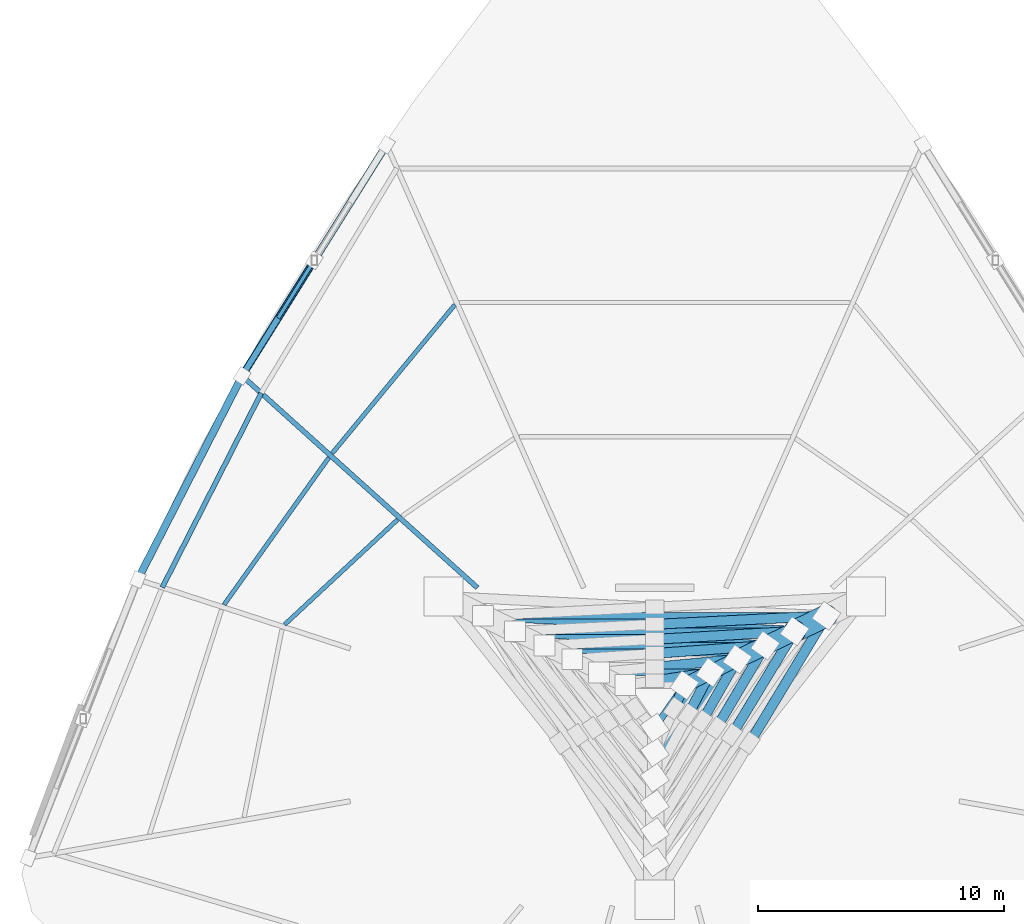
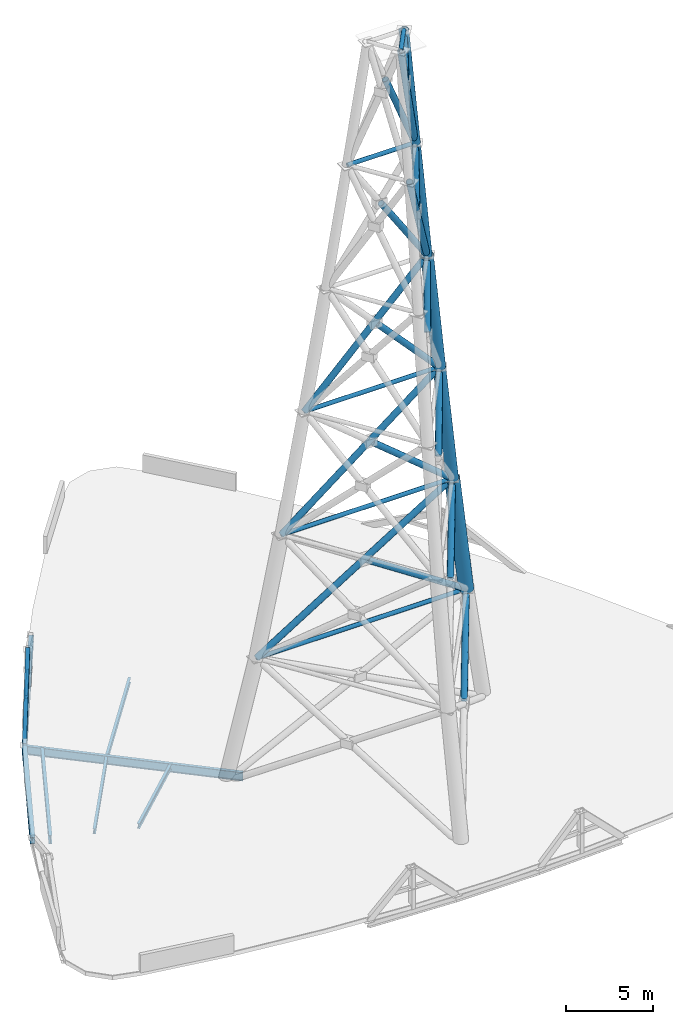
# One storey, part 3 of 7: 28 members, 7 beams.
"""IFC4 building model written with IfcOpenShell, lengths in metres."""

from ifc_helpers import new_model, si_unit, direction, frame, origin, origin_2d, place, context, subcontext, project, spatial, hollow_rectangle, hollow_circle, i_section, extrude, source, transform, mapped, material, material_profile, profile_set, type_object, element, save


model = new_model("IFC4")

# Units and contexts
model_context = context("Model", 3, precision=1e-05, world=origin(), true_north=direction((0.0, 1.0)))
body_context = subcontext(model_context, "Body", "Model", "MODEL_VIEW")
ifc_project = project(units=[si_unit("LENGTHUNIT", "METRE"), si_unit("AREAUNIT", "SQUARE_METRE"), si_unit("VOLUMEUNIT", "CUBIC_METRE"), si_unit("PLANEANGLEUNIT", "RADIAN"), si_unit("MASSUNIT", "GRAM", prefix="KILO"), si_unit("THERMODYNAMICTEMPERATUREUNIT", "KELVIN"), si_unit("POWERUNIT", "WATT")], contexts=[model_context])

# Site, building, storey
site_placement = place(None, origin())
site = spatial("IfcSite", under=ifc_project, at=site_placement, CompositionType="ELEMENT")
building_placement = place(site_placement, origin())
building = spatial("IfcBuilding", under=site, at=building_placement, Name="Yunzhuo Pagoda Commons", CompositionType="ELEMENT")
storey_placement = place(building_placement, frame((0.0, 0.0, 401.760009765625)))
storey = spatial("IfcBuildingStorey", under=building, at=storey_placement, Name="Roof", CompositionType="ELEMENT", Elevation=401.760009765625)

# Beams
ifc_material_1 = material(Name="Structural steel Q355B", Category="steel")
ifc_material_profile_1 = material_profile(ifc_material_1, i_section(OverallWidth=0.199951171875, OverallDepth=0.60009765625, WebThickness=0.010986328125, FlangeThickness=0.01708984375, at=origin_2d()), Name="Structural steel Q355B")
ifc_profile_set_1 = profile_set([ifc_material_profile_1], Name="Structural steel Q355B")
beam_type_1 = type_object("IfcBeamType", Name="B-RG3 Beam HN 600x200x11x17", PredefinedType="BEAM", material=ifc_profile_set_1)
shared_shape_1 = source(origin(), body_context, "Body", "SweptSolid", [
    extrude(i_section(OverallWidth=0.199951171875, OverallDepth=0.60009765625, WebThickness=0.010986328125, FlangeThickness=0.01708984375, at=origin_2d()), origin(), (0.0, 0.0, 1.0), 8.87939453125),
])
beam_1_placement = place(storey_placement, frame((31.975341796875, 48.128662109375, -0.580078125), z_axis=(-0.453723535687, -0.891142498798, 0.0), x_axis=(0.891142498798, -0.453723535687, 0.0)))
element("IfcBeam", 1, at=beam_1_placement, inside=storey, type_object=beam_type_1, Name="Roof column-ring beam 10", PredefinedType="BEAM", context=body_context, shape_type="MappedRepresentation", body=[
    mapped(shared_shape_1, transform((0.0, 0.0, 0.0), scale=1.0)),
])
ifc_material_profile_2 = material_profile(ifc_material_1, i_section(OverallWidth=0.175048828125, OverallDepth=0.35009765625, WebThickness=0.007080078125, FlangeThickness=0.010986328125, at=origin_2d()), Name="Structural steel Q355B")
ifc_profile_set_2 = profile_set([ifc_material_profile_2], Name="Structural steel Q355B")
beam_type_2 = type_object("IfcBeamType", Name="B-JS2 Joist HN 350x175x7x11", PredefinedType="JOIST", material=ifc_profile_set_2)
shared_shape_2 = source(origin(), body_context, "Body", "SweptSolid", [
    extrude(i_section(OverallWidth=0.175048828125, OverallDepth=0.35009765625, WebThickness=0.007080078125, FlangeThickness=0.010986328125, at=origin_2d()), origin(), (0.0, 0.0, 1.0), 6.277099609375),
])
beam_2_placement = place(storey_placement, frame((37.526611328125, 42.97607421875, -0.455078125), z_axis=(-0.73244154109, -0.68082992655, 0.0), x_axis=(0.68082992655, -0.73244154109, 0.0)))
element("IfcBeam", 2, at=beam_2_placement, inside=storey, type_object=beam_type_2, Name="Roof composite ring joist 1.10", PredefinedType="JOIST", context=body_context, shape_type="MappedRepresentation", body=[
    mapped(shared_shape_2, transform((0.0, 0.0, 0.0), scale=1.0)),
])
shared_shape_3 = source(origin(), body_context, "Body", "SweptSolid", [
    extrude(i_section(OverallWidth=0.175048828125, OverallDepth=0.35009765625, WebThickness=0.007080078125, FlangeThickness=0.010986328125, at=origin_2d()), origin(), (0.0, 0.0, 1.0), 7.347900390625),
])
beam_3_placement = place(storey_placement, frame((34.726318359375, 45.497802734375, -0.455078125), z_axis=(-0.580294898948, -0.814406428177, 0.0), x_axis=(0.814406428177, -0.580294898948, 0.0)))
element("IfcBeam", 3, at=beam_3_placement, inside=storey, type_object=beam_type_2, Name="Roof composite ring joist 2.10", PredefinedType="JOIST", context=body_context, shape_type="MappedRepresentation", body=[
    mapped(shared_shape_3, transform((0.0, 0.0, 0.0), scale=1.0)),
])
shared_shape_4 = source(origin(), body_context, "Body", "SweptSolid", [
    extrude(i_section(OverallWidth=0.175048828125, OverallDepth=0.35009765625, WebThickness=0.007080078125, FlangeThickness=0.010986328125, at=origin_2d()), origin(), (0.0, 0.0, 1.0), 7.842529296875),
])
beam_4_placement = place(storey_placement, frame((39.861328125, 51.726318359375, -0.455078125), z_axis=(-0.636899145749, -0.770947130577, 0.0), x_axis=(0.770947130577, -0.636899145749, 0.0)))
element("IfcBeam", 4, at=beam_4_placement, inside=storey, type_object=beam_type_2, Name="Roof composite ring joist 2.9", PredefinedType="JOIST", context=body_context, shape_type="MappedRepresentation", body=[
    mapped(shared_shape_4, transform((0.0, 0.0, 0.0), scale=1.0)),
])
shared_shape_5 = source(origin(), body_context, "Body", "SweptSolid", [
    extrude(i_section(OverallWidth=0.199951171875, OverallDepth=0.60009765625, WebThickness=0.010986328125, FlangeThickness=0.01708984375, at=origin_2d()), origin(), (0.0, 0.0, 1.0), 12.744140625),
])
beam_5_placement = place(storey_placement, frame((31.310302734375, 48.7275390625, -0.580078125), z_axis=(0.743139811769, -0.669136174605, 0.0), x_axis=(0.669136174605, 0.743139811769, 0.0)))
element("IfcBeam", 5, at=beam_5_placement, inside=storey, type_object=beam_type_1, Name="Roof radial floor girder F3C2", PredefinedType="BEAM", context=body_context, shape_type="MappedRepresentation", body=[
    mapped(shared_shape_5, transform((0.0, 0.0, 0.0), scale=1.0)),
])
ifc_material_profile_3 = material_profile(ifc_material_1, i_section(OverallWidth=0.300048828125, OverallDepth=0.43994140625, WebThickness=0.010986328125, FlangeThickness=0.01806640625, at=origin_2d()), Name="Structural steel Q355B")
ifc_profile_set_3 = profile_set([ifc_material_profile_3], Name="Structural steel Q355B")
beam_type_3 = type_object("IfcBeamType", Name="B-SP2 Beam HM 440x300x11x18", PredefinedType="BEAM", material=ifc_profile_set_3)
shared_shape_6 = source(origin(), body_context, "Body", "SweptSolid", [
    extrude(i_section(OverallWidth=0.300048828125, OverallDepth=0.43994140625, WebThickness=0.010986328125, FlangeThickness=0.01806640625, at=origin_2d()), origin(), (0.0, 0.0, 1.0), 9.3154296875),
])
beam_6_placement = place(storey_placement, frame((31.195068359375, 48.831298828125, -0.5), z_axis=(-0.455914353887, -0.89002365245, 0.0), x_axis=(0.89002365245, -0.455914353887, 0.0)))
element("IfcBeam", 6, at=beam_6_placement, inside=storey, type_object=beam_type_3, Name="Roof facade edge spandrel beam F3.2", PredefinedType="BEAM", context=body_context, shape_type="MappedRepresentation", body=[
    mapped(shared_shape_6, transform((0.0, 0.0, 0.0), scale=1.0)),
])
shared_shape_7 = source(origin(), body_context, "Body", "SweptSolid", [
    extrude(i_section(OverallWidth=0.300048828125, OverallDepth=0.43994140625, WebThickness=0.010986328125, FlangeThickness=0.01806640625, at=origin_2d()), origin(), (0.0, 0.0, 1.0), 11.094482421875),
])
beam_7_placement = place(storey_placement, frame((37.07421875, 58.239990234375, -0.5), z_axis=(-0.529915860294, -0.848050223164, 0.0), x_axis=(0.848050223164, -0.529915860294, 0.0)))
element("IfcBeam", 7, at=beam_7_placement, inside=storey, type_object=beam_type_3, Name="Roof facade edge spandrel beam F3.1", PredefinedType="BEAM", context=body_context, shape_type="MappedRepresentation", body=[
    mapped(shared_shape_7, transform((0.0, 0.0, 0.0), scale=1.0)),
])

# Members
ifc_material_profile_4 = material_profile(ifc_material_1, hollow_rectangle(XDim=0.159912109375, YDim=0.260009765625, WallThickness=0.010009765625, at=origin_2d()), Name="Structural steel Q355B")
ifc_profile_set_4 = profile_set([ifc_material_profile_4], Name="Structural steel Q355B")
member_type_1 = type_object("IfcMemberType", Name="M-PRL Purlin RHS 260x160x10", PredefinedType="PURLIN", material=ifc_profile_set_4)
shared_shape_8 = source(origin(), body_context, "Body", "SweptSolid", [
    extrude(hollow_rectangle(XDim=0.159912109375, YDim=0.260009765625, WallThickness=0.010009765625, at=origin_2d()), origin(), (0.0, 0.0, 1.0), 2.638427734375),
])
member_1_placement = place(storey_placement, frame((34.06298828125, 53.421142578125, 1.159912109375), z_axis=(-0.529924081534, -0.848045085954, 0.0), x_axis=(0.848045085954, -0.529924081534, 0.0)))
element("IfcMember", 8, at=member_1_placement, inside=storey, type_object=member_type_1, Name="Crown gable purlin F3.1R", PredefinedType="PURLIN", context=body_context, shape_type="MappedRepresentation", body=[
    mapped(shared_shape_8, transform((0.0, 0.0, 0.0), scale=1.0)),
])
ifc_material_profile_5 = material_profile(ifc_material_1, hollow_rectangle(XDim=0.25, YDim=0.39990234375, WallThickness=0.01611328125, at=origin_2d()), Name="Structural steel Q355B")
ifc_profile_set_5 = profile_set([ifc_material_profile_5], Name="Structural steel Q355B")
member_type_2 = type_object("IfcMemberType", Name="M-RFT Rafter RHS 400x250x16", PredefinedType="RAFTER", material=ifc_profile_set_5)
shared_shape_9 = source(origin(), body_context, "Body", "SweptSolid", [
    extrude(hollow_rectangle(XDim=0.25, YDim=0.39990234375, WallThickness=0.01611328125, at=origin_2d()), origin(), (0.0, 0.0, 1.0), 6.25048828125),
])
member_2_placement = place(storey_placement, frame((31.195068359375, 48.831298828125, -0.27978515625), z_axis=(0.470314175889, 0.752674542761, 0.4607446241), x_axis=(-0.848052692638, 0.529911908254, 0.0)))
element("IfcMember", 9, at=member_2_placement, inside=storey, type_object=member_type_2, Name="Crown gable rafter F3.1R", PredefinedType="RAFTER", context=body_context, shape_type="MappedRepresentation", body=[
    mapped(shared_shape_9, transform((0.0, 0.0, 0.0), scale=1.0)),
])
ifc_material_2 = material(Name="Structural steel Q420B", Category="steel")
ifc_material_profile_6 = material_profile(ifc_material_2, hollow_circle(Radius=0.136474609375, WallThickness=0.011962890625, at=origin_2d()), Name="Structural steel Q420B")
ifc_profile_set_6 = profile_set([ifc_material_profile_6], Name="Structural steel Q420B")
member_type_3 = type_object("IfcMemberType", Name="M-MC1 Mast Collar CHS 273x12", PredefinedType="COLLAR", material=ifc_profile_set_6)
shared_shape_10 = source(origin(), body_context, "Body", "SweptSolid", [
    extrude(hollow_circle(Radius=0.136474609375, WallThickness=0.011962890625, at=origin_2d()), origin(), (0.0, 0.0, 1.0), 13.974609375),
])
member_3_placement = place(storey_placement, frame((41.0126953125, 39.0625, 8.341796875), z_axis=(1.0, 0.0, 0.0), x_axis=(0.0, 1.0, 0.0)))
element("IfcMember", 10, at=member_3_placement, inside=storey, type_object=member_type_3, Name="Broadcast mast collar ring T1.1", PredefinedType="COLLAR", context=body_context, shape_type="MappedRepresentation", body=[
    mapped(shared_shape_10, transform((0.0, 0.0, 0.0), scale=1.0)),
])
ifc_material_profile_7 = material_profile(ifc_material_2, hollow_circle(Radius=0.202880859375, WallThickness=0.01611328125, at=origin_2d()), Name="Structural steel Q420B")
ifc_profile_set_7 = profile_set([ifc_material_profile_7], Name="Structural steel Q420B")
member_type_4 = type_object("IfcMemberType", Name="M-MB1 Mast Brace CHS 406x16", PredefinedType="BRACE", material=ifc_profile_set_7)
shared_shape_11 = source(origin(), body_context, "Body", "SweptSolid", [
    extrude(hollow_circle(Radius=0.202880859375, WallThickness=0.01611328125, at=origin_2d()), origin(), (0.0, 0.0, 1.0), 6.96923828125),
])
member_4_placement = place(storey_placement, frame((51.948974609375, 34.034423828125, 4.592529296875), z_axis=(0.435964242144, 0.721469149615, 0.53797532074), x_axis=(-0.855875303304, 0.517182235961, 0.0)))
element("IfcMember", 11, at=member_4_placement, inside=storey, type_object=member_type_4, Name="Broadcast mast upper split brace T1.2B2", PredefinedType="BRACE", context=body_context, shape_type="MappedRepresentation", body=[
    mapped(shared_shape_11, transform((0.0, 0.0, 0.0), scale=1.0)),
])
ifc_material_profile_8 = material_profile(ifc_material_2, hollow_circle(Radius=0.449951171875, WallThickness=0.031982421875, at=origin_2d()), Name="Structural steel Q420B")
ifc_profile_set_8 = profile_set([ifc_material_profile_8], Name="Structural steel Q420B")
member_type_5 = type_object("IfcMemberType", Name="M-ML1 Mast Strut CHS 900x32", PredefinedType="STRUT", material=ifc_profile_set_8)
shared_shape_12 = source(origin(), body_context, "Body", "SweptSolid", [
    extrude(hollow_circle(Radius=0.449951171875, WallThickness=0.031982421875, at=origin_2d()), origin(), (0.0, 0.0, 1.0), 8.740966796875),
])
member_5_placement = place(storey_placement, frame((54.9873046875, 39.0625, 8.341796875), z_axis=(-0.148058641284, -0.072311605788, 0.986331420167), x_axis=(0.438854395735, -0.898558189181, 0.0)))
element("IfcMember", 12, at=member_5_placement, inside=storey, type_object=member_type_5, Name="Broadcast mast leg T2.2", PredefinedType="STRUT", context=body_context, shape_type="MappedRepresentation", body=[
    mapped(shared_shape_12, transform((0.0, 0.0, 0.0), scale=1.0)),
])
shared_shape_13 = source(origin(), body_context, "Body", "SweptSolid", [
    extrude(hollow_circle(Radius=0.136474609375, WallThickness=0.011962890625, at=origin_2d()), origin(), (0.0, 0.0, 1.0), 11.38623046875),
])
member_6_placement = place(storey_placement, frame((42.306884765625, 38.430419921875, 16.96337890625), z_axis=(1.0, 0.0, 0.0), x_axis=(0.0, 1.0, 0.0)))
element("IfcMember", 13, at=member_6_placement, inside=storey, type_object=member_type_3, Name="Broadcast mast collar ring T2.1", PredefinedType="COLLAR", context=body_context, shape_type="MappedRepresentation", body=[
    mapped(shared_shape_13, transform((0.0, 0.0, 0.0), scale=1.0)),
])
shared_shape_14 = source(origin(), body_context, "Body", "SweptSolid", [
    extrude(hollow_circle(Radius=0.202880859375, WallThickness=0.01611328125, at=origin_2d()), origin(), (0.0, 0.0, 1.0), 15.3466796875),
])
member_7_placement = place(storey_placement, frame((41.0126953125, 39.0625, 8.341796875), z_axis=(0.826258270819, -0.041186443003, 0.561783718895), x_axis=(0.04978512323, 0.998759951893, 0.0)))
element("IfcMember", 14, at=member_7_placement, inside=storey, type_object=member_type_4, Name="Broadcast mast diagonal brace T2.1A", PredefinedType="BRACE", context=body_context, shape_type="MappedRepresentation", body=[
    mapped(shared_shape_14, transform((0.0, 0.0, 0.0), scale=1.0)),
])
shared_shape_15 = source(origin(), body_context, "Body", "SweptSolid", [
    extrude(hollow_circle(Radius=0.202880859375, WallThickness=0.01611328125, at=origin_2d()), origin(), (0.0, 0.0, 1.0), 8.24169921875),
])
member_8_placement = place(storey_placement, frame((54.9873046875, 39.0625, 8.341796875), z_axis=(-0.826255069599, -0.041204632051, 0.561787093355), x_axis=(0.04980724765, -0.998758848813, 0.0)))
element("IfcMember", 15, at=member_8_placement, inside=storey, type_object=member_type_4, Name="Broadcast mast lower split brace T2.1B1", PredefinedType="BRACE", context=body_context, shape_type="MappedRepresentation", body=[
    mapped(shared_shape_15, transform((0.0, 0.0, 0.0), scale=1.0)),
])
shared_shape_16 = source(origin(), body_context, "Body", "SweptSolid", [
    extrude(hollow_circle(Radius=0.202880859375, WallThickness=0.01611328125, at=origin_2d()), origin(), (0.0, 0.0, 1.0), 6.056884765625),
])
member_9_placement = place(storey_placement, frame((51.224609375, 34.35400390625, 13.22509765625), z_axis=(0.407556030263, 0.673025718257, 0.617198885904), x_axis=(-0.855388381216, 0.517987178683, 0.0)))
element("IfcMember", 16, at=member_9_placement, inside=storey, type_object=member_type_4, Name="Broadcast mast upper split brace T2.2B2", PredefinedType="BRACE", context=body_context, shape_type="MappedRepresentation", body=[
    mapped(shared_shape_16, transform((0.0, 0.0, 0.0), scale=1.0)),
])
ifc_material_profile_9 = material_profile(ifc_material_2, hollow_circle(Radius=0.375, WallThickness=0.028076171875, at=origin_2d()), Name="Structural steel Q420B")
ifc_profile_set_9 = profile_set([ifc_material_profile_9], Name="Structural steel Q420B")
member_type_6 = type_object("IfcMemberType", Name="M-ML2 Mast Strut CHS 750x28", PredefinedType="STRUT", material=ifc_profile_set_9)
shared_shape_17 = source(origin(), body_context, "Body", "SweptSolid", [
    extrude(hollow_circle(Radius=0.375, WallThickness=0.028076171875, at=origin_2d()), origin(), (0.0, 0.0, 1.0), 8.723876953125),
])
member_10_placement = place(storey_placement, frame((53.693115234375, 38.430419921875, 16.96337890625), z_axis=(-0.137129876321, -0.066969753885, 0.988286622941), x_axis=(0.438831855094, -0.898569197644, 0.0)))
element("IfcMember", 17, at=member_10_placement, inside=storey, type_object=member_type_6, Name="Broadcast mast leg T3.2", PredefinedType="STRUT", context=body_context, shape_type="MappedRepresentation", body=[
    mapped(shared_shape_17, transform((0.0, 0.0, 0.0), scale=1.0)),
])
shared_shape_18 = source(origin(), body_context, "Body", "SweptSolid", [
    extrude(hollow_circle(Radius=0.136474609375, WallThickness=0.011962890625, at=origin_2d()), origin(), (0.0, 0.0, 1.0), 8.99365234375),
])
member_11_placement = place(storey_placement, frame((43.503173828125, 37.84619140625, 25.5849609375), z_axis=(1.0, 0.0, 0.0), x_axis=(0.0, 1.0, 0.0)))
element("IfcMember", 18, at=member_11_placement, inside=storey, type_object=member_type_3, Name="Broadcast mast collar ring T3.1", PredefinedType="COLLAR", context=body_context, shape_type="MappedRepresentation", body=[
    mapped(shared_shape_18, transform((0.0, 0.0, 0.0), scale=1.0)),
])
shared_shape_19 = source(origin(), body_context, "Body", "SweptSolid", [
    extrude(hollow_circle(Radius=0.202880859375, WallThickness=0.01611328125, at=origin_2d()), origin(), (0.0, 0.0, 1.0), 13.360595703125),
])
member_12_placement = place(storey_placement, frame((42.306884765625, 38.430419921875, 16.96337890625), z_axis=(0.762681056605, -0.043727437071, 0.64529490711), x_axis=(0.057239843105, 0.998360456129, 0.0)))
element("IfcMember", 19, at=member_12_placement, inside=storey, type_object=member_type_4, Name="Broadcast mast diagonal brace T3.1A", PredefinedType="BRACE", context=body_context, shape_type="MappedRepresentation", body=[
    mapped(shared_shape_19, transform((0.0, 0.0, 0.0), scale=1.0)),
])
shared_shape_20 = source(origin(), body_context, "Body", "SweptSolid", [
    extrude(hollow_circle(Radius=0.202880859375, WallThickness=0.01611328125, at=origin_2d()), origin(), (0.0, 0.0, 1.0), 7.24951171875),
])
member_13_placement = place(storey_placement, frame((53.693115234375, 38.430419921875, 16.96337890625), z_axis=(-0.762655458753, -0.043746773864, 0.645323849714), x_axis=(0.057266988005, -0.998358899437, 0.0)))
element("IfcMember", 20, at=member_13_placement, inside=storey, type_object=member_type_4, Name="Broadcast mast lower split brace T3.1B1", PredefinedType="BRACE", context=body_context, shape_type="MappedRepresentation", body=[
    mapped(shared_shape_20, transform((0.0, 0.0, 0.0), scale=1.0)),
])
shared_shape_21 = source(origin(), body_context, "Body", "SweptSolid", [
    extrude(hollow_circle(Radius=0.202880859375, WallThickness=0.01611328125, at=origin_2d()), origin(), (0.0, 0.0, 1.0), 5.22900390625),
])
member_14_placement = place(storey_placement, frame((50.5908203125, 34.62841796875, 21.930419921875), z_axis=(0.364505740565, 0.615368984327, 0.698896686373), x_axis=(-0.860388013062, 0.509639546129, 0.0)))
element("IfcMember", 21, at=member_14_placement, inside=storey, type_object=member_type_4, Name="Broadcast mast upper split brace T3.2B2", PredefinedType="BRACE", context=body_context, shape_type="MappedRepresentation", body=[
    mapped(shared_shape_21, transform((0.0, 0.0, 0.0), scale=1.0)),
])
shared_shape_22 = source(origin(), body_context, "Body", "SweptSolid", [
    extrude(hollow_circle(Radius=0.375, WallThickness=0.028076171875, at=origin_2d()), origin(), (0.0, 0.0, 1.0), 8.714111328125),
])
member_15_placement = place(storey_placement, frame((52.496826171875, 37.84619140625, 25.5849609375), z_axis=(-0.130445316237, -0.063709761409, 0.989406431035), x_axis=(0.438857041245, -0.898556897113, 0.0)))
element("IfcMember", 22, at=member_15_placement, inside=storey, type_object=member_type_6, Name="Broadcast mast leg T4.2", PredefinedType="STRUT", context=body_context, shape_type="MappedRepresentation", body=[
    mapped(shared_shape_22, transform((0.0, 0.0, 0.0), scale=1.0)),
])
shared_shape_23 = source(origin(), body_context, "Body", "SweptSolid", [
    extrude(hollow_circle(Radius=0.202880859375, WallThickness=0.01611328125, at=origin_2d()), origin(), (0.0, 0.0, 1.0), 11.677978515625),
])
member_16_placement = place(storey_placement, frame((43.503173828125, 37.84619140625, 25.5849609375), z_axis=(0.672798299637, -0.047540343464, 0.738296934674), x_axis=(0.070484874061, 0.9975128483, 0.0)))
element("IfcMember", 23, at=member_16_placement, inside=storey, type_object=member_type_4, Name="Broadcast mast diagonal brace T4.1A", PredefinedType="BRACE", context=body_context, shape_type="MappedRepresentation", body=[
    mapped(shared_shape_23, transform((0.0, 0.0, 0.0), scale=1.0)),
])
shared_shape_24 = source(origin(), body_context, "Body", "SweptSolid", [
    extrude(hollow_circle(Radius=0.202880859375, WallThickness=0.01611328125, at=origin_2d()), origin(), (0.0, 0.0, 1.0), 6.46875),
])
member_17_placement = place(storey_placement, frame((52.496826171875, 37.84619140625, 25.5849609375), z_axis=(-0.672786688963, -0.047554764282, 0.738306586418), x_axis=(0.070507359286, -0.997511259228, 0.0)))
element("IfcMember", 24, at=member_17_placement, inside=storey, type_object=member_type_4, Name="Broadcast mast lower split brace T4.1B1", PredefinedType="BRACE", context=body_context, shape_type="MappedRepresentation", body=[
    mapped(shared_shape_24, transform((0.0, 0.0, 0.0), scale=1.0)),
])
shared_shape_25 = source(origin(), body_context, "Body", "SweptSolid", [
    extrude(hollow_circle(Radius=0.202880859375, WallThickness=0.01611328125, at=origin_2d()), origin(), (0.0, 0.0, 1.0), 4.478759765625),
])
member_18_placement = place(storey_placement, frame((49.989013671875, 34.88232421875, 30.6884765625), z_axis=(0.306125498943, 0.537790985145, 0.785536781566), x_axis=(-0.869065896633, 0.494696338485, 0.0)))
element("IfcMember", 25, at=member_18_placement, inside=storey, type_object=member_type_4, Name="Broadcast mast upper split brace T4.2B2", PredefinedType="BRACE", context=body_context, shape_type="MappedRepresentation", body=[
    mapped(shared_shape_25, transform((0.0, 0.0, 0.0), scale=1.0)),
])
ifc_material_profile_10 = material_profile(ifc_material_2, hollow_circle(Radius=0.300048828125, WallThickness=0.02392578125, at=origin_2d()), Name="Structural steel Q420B")
ifc_profile_set_10 = profile_set([ifc_material_profile_10], Name="Structural steel Q420B")
member_type_7 = type_object("IfcMemberType", Name="M-ML3 Mast Strut CHS 600x24", PredefinedType="STRUT", material=ifc_profile_set_10)
shared_shape_26 = source(origin(), body_context, "Body", "SweptSolid", [
    extrude(hollow_circle(Radius=0.300048828125, WallThickness=0.02392578125, at=origin_2d()), origin(), (0.0, 0.0, 1.0), 8.707275390625),
])
member_19_placement = place(storey_placement, frame((51.360107421875, 37.291015625, 34.206787109375), z_axis=(-0.125671082842, -0.061377510116, 0.990171490293), x_axis=(0.438854120913, -0.898558323404, 0.0)))
element("IfcMember", 26, at=member_19_placement, inside=storey, type_object=member_type_7, Name="Broadcast mast leg T5.2", PredefinedType="STRUT", context=body_context, shape_type="MappedRepresentation", body=[
    mapped(shared_shape_26, transform((0.0, 0.0, 0.0), scale=1.0)),
])
shared_shape_27 = source(origin(), body_context, "Body", "SweptSolid", [
    extrude(hollow_circle(Radius=0.136474609375, WallThickness=0.011962890625, at=origin_2d()), origin(), (0.0, 0.0, 1.0), 4.53173828125),
])
member_20_placement = place(storey_placement, frame((45.734130859375, 36.756591796875, 42.828369140625), z_axis=(1.0, 0.0, 0.0), x_axis=(0.0, 1.0, 0.0)))
element("IfcMember", 27, at=member_20_placement, inside=storey, type_object=member_type_3, Name="Broadcast mast collar ring T5.1", PredefinedType="COLLAR", context=body_context, shape_type="MappedRepresentation", body=[
    mapped(shared_shape_27, transform((0.0, 0.0, 0.0), scale=1.0)),
])
shared_shape_28 = source(origin(), body_context, "Body", "SweptSolid", [
    extrude(hollow_circle(Radius=0.202880859375, WallThickness=0.01611328125, at=origin_2d()), origin(), (0.0, 0.0, 1.0), 5.94189453125),
])
member_21_placement = place(storey_placement, frame((51.360107421875, 37.291015625, 34.206787109375), z_axis=(-0.545734664504, -0.051853421669, 0.83635213793), x_axis=(0.094589791713, -0.995516334022, 0.0)))
element("IfcMember", 28, at=member_21_placement, inside=storey, type_object=member_type_4, Name="Broadcast mast lower split brace T5.1B1", PredefinedType="BRACE", context=body_context, shape_type="MappedRepresentation", body=[
    mapped(shared_shape_28, transform((0.0, 0.0, 0.0), scale=1.0)),
])
shared_shape_29 = source(origin(), body_context, "Body", "SweptSolid", [
    extrude(hollow_circle(Radius=0.202880859375, WallThickness=0.01611328125, at=origin_2d()), origin(), (0.0, 0.0, 1.0), 9.99853515625),
])
member_22_placement = place(storey_placement, frame((51.360107421875, 37.291015625, 34.206787109375), z_axis=(-0.336058476504, -0.37886240801, 0.862280682937), x_axis=(0.748103205866, -0.663582393809, 0.0)))
element("IfcMember", 29, at=member_22_placement, inside=storey, type_object=member_type_4, Name="Broadcast mast diagonal brace T5.2A", PredefinedType="BRACE", context=body_context, shape_type="MappedRepresentation", body=[
    mapped(shared_shape_29, transform((0.0, 0.0, 0.0), scale=1.0)),
])
shared_shape_30 = source(origin(), body_context, "Body", "SweptSolid", [
    extrude(hollow_circle(Radius=0.202880859375, WallThickness=0.01611328125, at=origin_2d()), origin(), (0.0, 0.0, 1.0), 3.76953125),
])
member_23_placement = place(storey_placement, frame((49.402587890625, 35.12158203125, 39.54345703125), z_axis=(0.229017210807, 0.433746680084, 0.871444166123), x_axis=(-0.884304492834, 0.466910659499, 0.0)))
element("IfcMember", 30, at=member_23_placement, inside=storey, type_object=member_type_4, Name="Broadcast mast upper split brace T5.2B2", PredefinedType="BRACE", context=body_context, shape_type="MappedRepresentation", body=[
    mapped(shared_shape_30, transform((0.0, 0.0, 0.0), scale=1.0)),
])
shared_shape_31 = source(origin(), body_context, "Body", "SweptSolid", [
    extrude(hollow_circle(Radius=0.300048828125, WallThickness=0.02392578125, at=origin_2d()), origin(), (0.0, 0.0, 1.0), 8.7021484375),
])
member_24_placement = place(storey_placement, frame((50.265869140625, 36.756591796875, 42.828369140625), z_axis=(-0.122011685919, -0.059589059759, 0.99073825628), x_axis=(0.438846937391, -0.898561831786, 0.0)))
element("IfcMember", 31, at=member_24_placement, inside=storey, type_object=member_type_7, Name="Broadcast mast leg T6.2", PredefinedType="STRUT", context=body_context, shape_type="MappedRepresentation", body=[
    mapped(shared_shape_31, transform((0.0, 0.0, 0.0), scale=1.0)),
])
shared_shape_32 = source(origin(), body_context, "Body", "SweptSolid", [
    extrude(hollow_circle(Radius=0.202880859375, WallThickness=0.01611328125, at=origin_2d()), origin(), (0.0, 0.0, 1.0), 5.86328125),
])
member_25_placement = place(storey_placement, frame((50.265869140625, 36.756591796875, 42.828369140625), z_axis=(-0.372787249169, -0.05571197804, 0.926242863595), x_axis=(0.147805649215, -0.989016425577, 0.0)))
element("IfcMember", 32, at=member_25_placement, inside=storey, type_object=member_type_4, Name="Broadcast mast lower split brace T6.1B1", PredefinedType="BRACE", context=body_context, shape_type="MappedRepresentation", body=[
    mapped(shared_shape_32, transform((0.0, 0.0, 0.0), scale=1.0)),
])
shared_shape_33 = source(origin(), body_context, "Body", "SweptSolid", [
    extrude(hollow_circle(Radius=0.136474609375, WallThickness=0.011962890625, at=origin_2d()), origin(), (0.0, 0.0, 1.0), 2.10693359375),
])
member_26_placement = place(storey_placement, frame((49.2041015625, 36.238037109375, 51.449951171875), z_axis=(-0.57148539356, -0.820612237873, 0.0), x_axis=(0.820612237873, -0.57148539356, 0.0)))
element("IfcMember", 33, at=member_26_placement, inside=storey, type_object=member_type_3, Name="Broadcast mast collar ring T6.2", PredefinedType="COLLAR", context=body_context, shape_type="MappedRepresentation", body=[
    mapped(shared_shape_33, transform((0.0, 0.0, 0.0), scale=1.0)),
])
shared_shape_34 = source(origin(), body_context, "Body", "SweptSolid", [
    extrude(hollow_circle(Radius=0.202880859375, WallThickness=0.01611328125, at=origin_2d()), origin(), (0.0, 0.0, 1.0), 9.193359375),
])
member_27_placement = place(storey_placement, frame((50.265869140625, 36.756591796875, 42.828369140625), z_axis=(-0.246468751425, -0.244477031097, 0.937808155135), x_axis=(0.704232320983, -0.709969603633, 0.0)))
element("IfcMember", 34, at=member_27_placement, inside=storey, type_object=member_type_4, Name="Broadcast mast diagonal brace T6.2A", PredefinedType="BRACE", context=body_context, shape_type="MappedRepresentation", body=[
    mapped(shared_shape_34, transform((0.0, 0.0, 0.0), scale=1.0)),
])
shared_shape_35 = source(origin(), body_context, "Body", "SweptSolid", [
    extrude(hollow_circle(Radius=0.202880859375, WallThickness=0.01611328125, at=origin_2d()), origin(), (0.0, 0.0, 1.0), 2.951416015625),
])
member_28_placement = place(storey_placement, frame((48.814697265625, 35.353515625, 48.661376953125), z_axis=(0.131943399567, 0.299705916383, 0.944863642541), x_axis=(-0.915233065182, 0.402924852047, 0.0)))
element("IfcMember", 35, at=member_28_placement, inside=storey, type_object=member_type_4, Name="Broadcast mast upper split brace T6.2B2", PredefinedType="BRACE", context=body_context, shape_type="MappedRepresentation", body=[
    mapped(shared_shape_35, transform((0.0, 0.0, 0.0), scale=1.0)),
])

save(model, "model.ifc")
